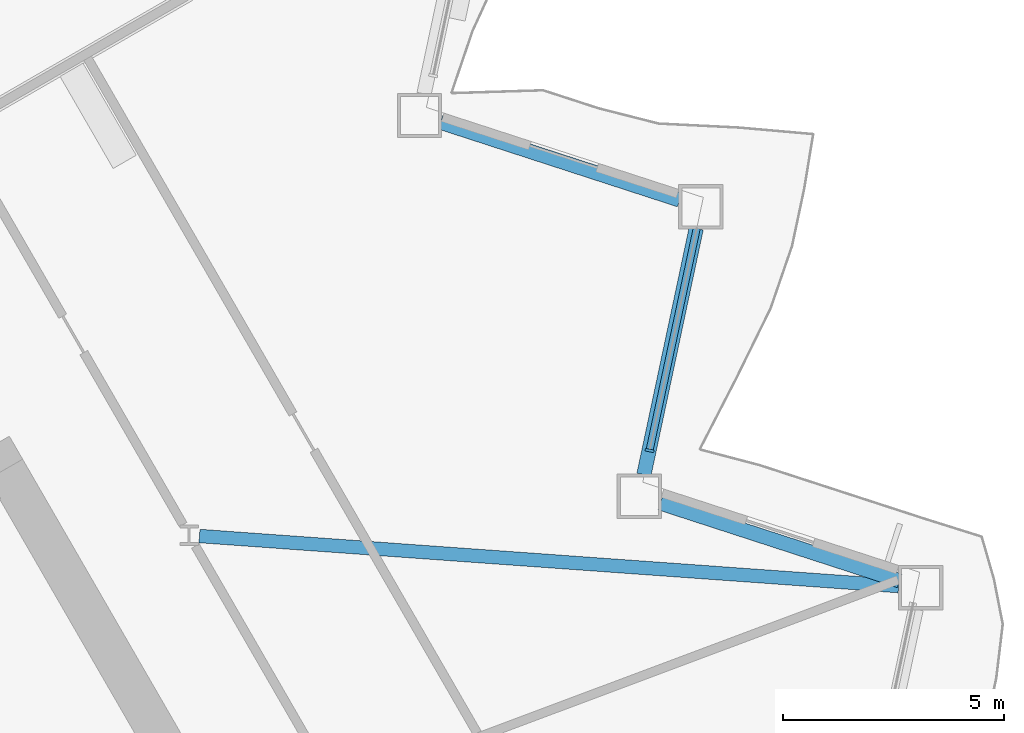
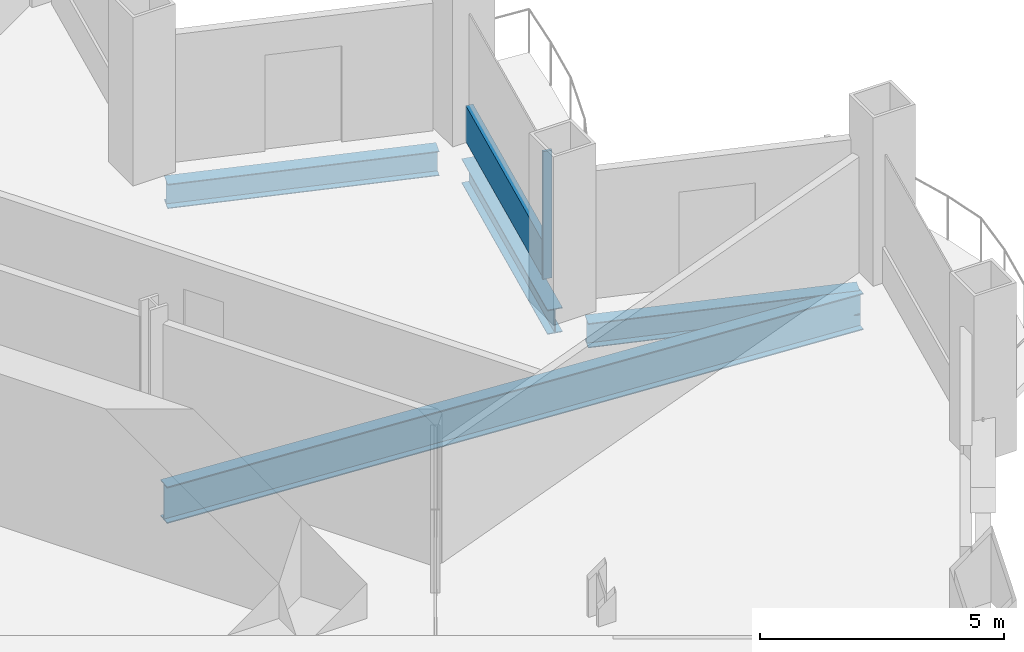
# One storey, part 5 of 20: 4 beams, 2 members, 1 element without a shape of its own.
"""IFC4 building model written with IfcOpenShell, lengths in metres."""

from ifc_helpers import new_model, si_unit, direction, frame, origin, origin_2d, place, context, subcontext, project, spatial, rectangle, i_section, extrude, material, layer, layer_set, material_profile, profile_set, type_object, element, aggregate, save


model = new_model("IFC4")

# Units and contexts
model_context = context("Model", 3, precision=1e-05, world=origin(), true_north=direction((0.0, 1.0)))
body_context = subcontext(model_context, "Body", "Model", "MODEL_VIEW")
ifc_project = project(units=[si_unit("LENGTHUNIT", "METRE"), si_unit("AREAUNIT", "SQUARE_METRE"), si_unit("VOLUMEUNIT", "CUBIC_METRE"), si_unit("PLANEANGLEUNIT", "RADIAN"), si_unit("MASSUNIT", "GRAM", prefix="KILO")], contexts=[model_context])

# Site, building, storey
site_placement = place(None, origin())
site = spatial("IfcSite", under=ifc_project, at=site_placement, CompositionType="ELEMENT")
building_placement = place(site_placement, origin())
building = spatial("IfcBuilding", under=site, at=building_placement, Name="Cormorant Prow Tower", CompositionType="ELEMENT")
storey_placement = place(building_placement, frame((0.0, 0.0, 63.60009765625)))
storey = spatial("IfcBuildingStorey", under=building, at=storey_placement, Name="L13", CompositionType="ELEMENT", Elevation=63.60009765625)

# Curtain wall, members
ifc_material_1 = material(Name="Aluminium 6063-T6", Category="aluminium")
ifc_layer = layer(ifc_material_1, 0.199951171875)
ifc_layer_set = layer_set([ifc_layer], Name="Aluminium 6063-T6")
curtain_wall_type = type_object("IfcCurtainWallType", Name="Office unitised curtain wall 200", PredefinedType="NOTDEFINED", material=ifc_layer_set)
curtain_wall_placement = place(storey_placement, origin())
curtain_wall = element("IfcCurtainWall", 1, at=curtain_wall_placement, inside=storey, type_object=curtain_wall_type, Name="Office curtain wall ENE02", PredefinedType="NOTDEFINED")
ifc_material_2 = material(Name="Aluminium 6063-T6", Category="aluminium")
ifc_material_profile_1 = material_profile(ifc_material_2, rectangle(XDim=0.199951171875, YDim=0.06005859375, at=origin_2d()), Name="Office mullion 60x200")
ifc_profile_set_1 = profile_set([ifc_material_profile_1], Name="Aluminium 6063-T6")
member_type_1 = type_object("IfcMemberType", Name="Office mullion 60x200", PredefinedType="MULLION", material=ifc_profile_set_1)
member_1_placement = place(storey_placement, frame((26.2646484375, -1.138916015625, 0.0), z_axis=(0.0, 0.0, 1.0), x_axis=(-0.978147613794, 0.207911629376, 0.0)))
member_1 = element("IfcMember", 2, at=member_1_placement, type_object=member_type_1, Name="Office mullion ENE02", PredefinedType="MULLION", context=body_context, shape_type="SweptSolid", body=[
    extrude(rectangle(XDim=0.199951171875, YDim=0.06005859375, at=origin_2d()), origin(), (0.0, 0.0, 1.0), 3.188720703125),
])
ifc_material_3 = material(Name="Terracotta", Category="masonry")
ifc_material_profile_2 = material_profile(ifc_material_3, rectangle(XDim=0.159912109375, YDim=0.89990234375, at=origin_2d()), Name="Office terracotta spandrel rail 160x900")
ifc_profile_set_2 = profile_set([ifc_material_profile_2], Name="Terracotta")
member_type_2 = type_object("IfcMemberType", Name="Office terracotta spandrel rail 160x900", PredefinedType="USERDEFINED", material=ifc_profile_set_2)
member_2_placement = place(storey_placement, frame((26.270751953125, -1.109619140625, 0.449951171875), z_axis=(0.207923880601, 0.978145009636, 0.0), x_axis=(-0.978145009636, 0.207923880601, 0.0)))
member_2 = element("IfcMember", 3, at=member_2_placement, type_object=member_type_2, Name="Office spandrel rail ENE02", ObjectType="TRANSOM", PredefinedType="USERDEFINED", context=body_context, shape_type="SweptSolid", body=[
    extrude(rectangle(XDim=0.159912109375, YDim=0.89990234375, at=origin_2d()), origin(), (0.0, 0.0, 1.0), 5.111328125),
])
aggregate(curtain_wall, [member_1, member_2])

# Beams
ifc_material_4 = material(Name="Structural steel ASTM A992 Gr 50", Category="steel")
ifc_material_profile_3 = material_profile(ifc_material_4, i_section(OverallWidth=0.3046875, OverallDepth=0.914794921875, WebThickness=0.0166015625, FlangeThickness=0.02587890625, at=origin_2d()), Name="W36x160")
ifc_profile_set_3 = profile_set([ifc_material_profile_3], Name="Structural steel ASTM A992 Gr 50")
beam_type_1 = type_object("IfcBeamType", Name="Radial floor beam W36x160", PredefinedType="BEAM", material=ifc_profile_set_3)
beam_1_placement = place(storey_placement, frame((16.099365234375, -3.0703125, -0.857421875), z_axis=(0.997443412532, -0.071460750045, 0.0), x_axis=(0.071460750045, 0.997443412532, 0.0)))
element("IfcBeam", 4, at=beam_1_placement, inside=storey, type_object=beam_type_1, Name="Radial floor beam FB1 10 L13", PredefinedType="BEAM", context=body_context, shape_type="SweptSolid", body=[
    extrude(i_section(OverallWidth=0.3046875, OverallDepth=0.914794921875, WebThickness=0.0166015625, FlangeThickness=0.02587890625, at=origin_2d()), origin(), (0.0, 0.0, 1.0), 15.831787109375),
])
ifc_material_5 = material(Name="Structural steel ASTM A992 Gr 50", Category="steel")
ifc_material_profile_4 = material_profile(ifc_material_5, i_section(OverallWidth=0.32373046875, OverallDepth=0.611083984375, WebThickness=0.0126953125, FlangeThickness=0.01904296875, at=origin_2d()), Name="W24x104")
ifc_profile_set_4 = profile_set([ifc_material_profile_4], Name="Structural steel ASTM A992 Gr 50")
beam_type_2 = type_object("IfcBeamType", Name="Spandrel beam W24x104", PredefinedType="SPANDREL", material=ifc_profile_set_4)
beam_2_placement = place(storey_placement, frame((31.913818359375, -4.082763671875, -0.70556640625), z_axis=(-0.951049222751, 0.309039440696, 0.0), x_axis=(-0.309039440696, -0.951049222751, 0.0)))
element("IfcBeam", 5, at=beam_2_placement, inside=storey, type_object=beam_type_2, Name="Spandrel beam SB1 ENE01-ENE02 L13", PredefinedType="SPANDREL", context=body_context, shape_type="SweptSolid", body=[
    extrude(i_section(OverallWidth=0.32373046875, OverallDepth=0.611083984375, WebThickness=0.0126953125, FlangeThickness=0.01904296875, at=origin_2d()), origin(), (0.0, 0.0, 1.0), 5.682373046875),
])
beam_3_placement = place(storey_placement, frame((26.137939453125, -1.68310546875, -0.70556640625), z_axis=(0.207900376723, 0.97815000555, 0.0), x_axis=(-0.97815000555, 0.207900376723, 0.0)))
element("IfcBeam", 6, at=beam_3_placement, inside=storey, type_object=beam_type_2, Name="Spandrel beam SB1 ENE02-ENE03 L13", PredefinedType="SPANDREL", context=body_context, shape_type="SweptSolid", body=[
    extrude(i_section(OverallWidth=0.32373046875, OverallDepth=0.611083984375, WebThickness=0.0126953125, FlangeThickness=0.01904296875, at=origin_2d()), origin(), (0.0, 0.0, 1.0), 5.6826171875),
])
beam_4_placement = place(storey_placement, frame((26.94775390625, 4.518798828125, -0.70556640625), z_axis=(-0.951061849722, 0.309000579292, 0.0), x_axis=(-0.309000579292, -0.951061849722, 0.0)))
element("IfcBeam", 7, at=beam_4_placement, inside=storey, type_object=beam_type_2, Name="Spandrel beam SB1 ENE03-ENE04 L13", PredefinedType="SPANDREL", context=body_context, shape_type="SweptSolid", body=[
    extrude(i_section(OverallWidth=0.32373046875, OverallDepth=0.611083984375, WebThickness=0.0126953125, FlangeThickness=0.01904296875, at=origin_2d()), origin(), (0.0, 0.0, 1.0), 5.682373046875),
])

save(model, "model.ifc")
